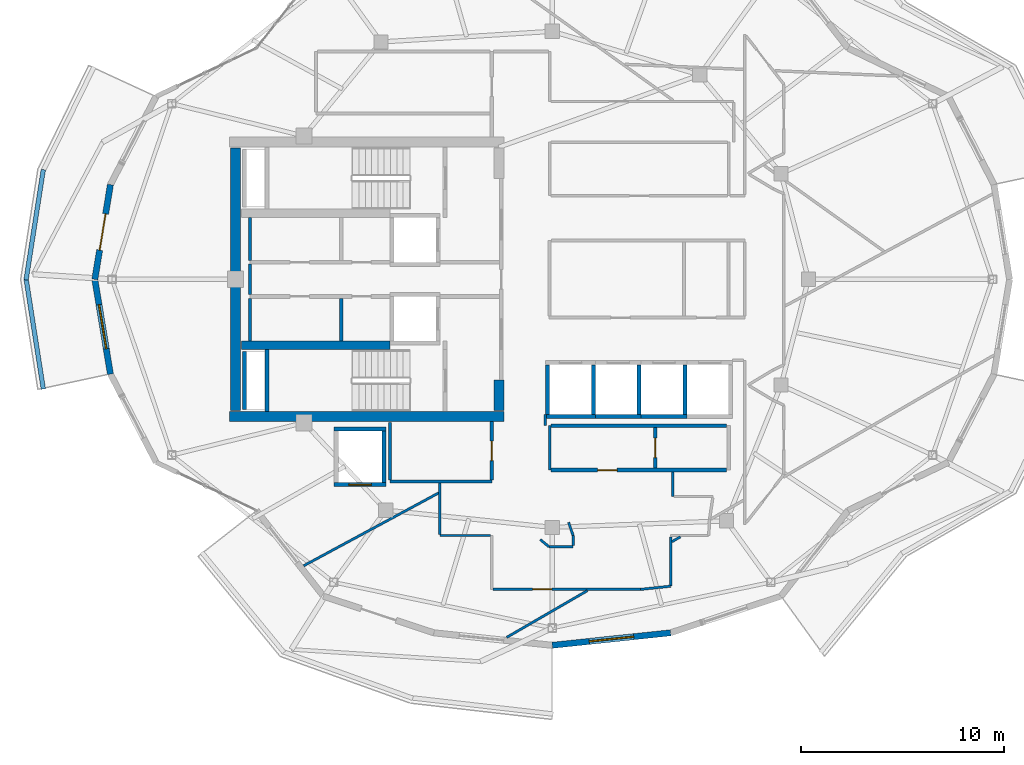
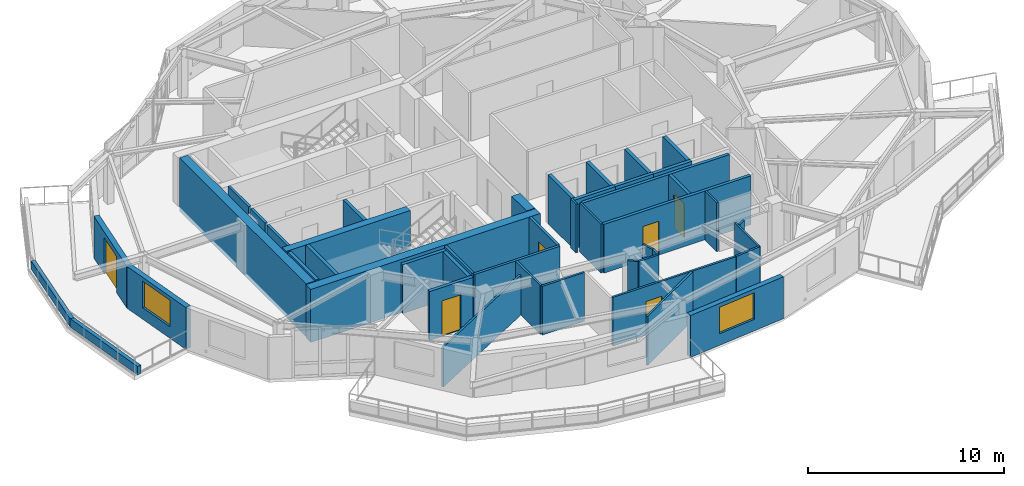
# One storey, part 7 of 14: 46 walls, 6 doors, 2 windows, 8 openings.
"""IFC4 building model written with IfcOpenShell, lengths in metres."""

from ifc_helpers import new_model, si_unit, direction, frame, frame_2d, origin, place, context, subcontext, project, spatial, rectangle, extrude, material, layer, layer_set, type_object, element, fill, save


model = new_model("IFC4")

# Units and contexts
model_context = context("Model", 3, precision=1e-05, world=origin(), true_north=direction((0.0, 1.0)))
body_context = subcontext(model_context, "Body", "Model", "MODEL_VIEW")
ifc_project = project(units=[si_unit("LENGTHUNIT", "METRE"), si_unit("AREAUNIT", "SQUARE_METRE"), si_unit("VOLUMEUNIT", "CUBIC_METRE"), si_unit("PLANEANGLEUNIT", "RADIAN"), si_unit("MASSUNIT", "GRAM", prefix="KILO")], contexts=[model_context])

# Site, building, storey
site_placement = place(None, origin())
site = spatial("IfcSite", under=ifc_project, at=site_placement, CompositionType="ELEMENT")
building_placement = place(site_placement, origin())
building = spatial("IfcBuilding", under=site, at=building_placement, Name="Kolvaren Gate Tower and Convention Centre", CompositionType="ELEMENT")
storey_placement = place(building_placement, frame((0.0, 0.0, 252.5)))
storey = spatial("IfcBuildingStorey", under=building, at=storey_placement, Name="L68", CompositionType="ELEMENT", Elevation=252.5)

# Wall
ifc_material_1 = material(Name="Autoclaved Aerated Masonry Blockwork Class 4 (4.0 MPa)", Category="masonry")
ifc_layer_1 = layer(ifc_material_1, 0.179931640625)
ifc_layer_set_1 = layer_set([ifc_layer_1], Name="Autoclaved Aerated Masonry Blockwork Class 4 (4.0 MPa)")
wall_type_1 = type_object("IfcWallType", Name="ARCH-WL-COMP-180", PredefinedType="SOLIDWALL", material=ifc_layer_set_1)
wall_1_placement = place(storey_placement, frame((19.75, 23.9619140625, 0.0), z_axis=(0.0, 0.0, 1.0), x_axis=(0.0, 1.0, 0.0)))
element("IfcWall", 1, at=wall_1_placement, inside=storey, type_object=wall_type_1, Name="Interior Partition WL-L68-INT-007", PredefinedType="SOLIDWALL", context=body_context, shape_type="SweptSolid", body=[
    extrude(rectangle(XDim=2.106201171875, YDim=0.179931640625, at=frame_2d((1.05322265625, 0.0))), origin(), (0.0, 0.0, 1.0), 3.030029296875),
])

# Wall, opening, door
wall_2_placement = place(storey_placement, frame((30.06201171875, 17.6201171875, 0.0), z_axis=(0.0, 0.0, 1.0), x_axis=(1.0, 0.0, 0.0)))
wall_2 = element("IfcWall", 2, at=wall_2_placement, inside=storey, type_object=wall_type_1, Name="Interior Partition WL-L68-INT-026", PredefinedType="SOLIDWALL", context=body_context, shape_type="SweptSolid", body=[
    extrude(rectangle(XDim=8.64599609375, YDim=0.179931640625, at=frame_2d((4.322998046875, 0.0))), origin(), (0.0, 0.0, 1.0), 3.030029296875),
])
opening_1_placement = place(wall_2_placement, frame((2.299072265625, 0.0, 0.0)))
opening_1 = element("IfcOpeningElement", 3, at=opening_1_placement, cuts=wall_2, Name="Opening DR-01", PredefinedType="OPENING", context=body_context, shape_type="SweptSolid", body=[
    extrude(rectangle(XDim=0.949951171875, YDim=2.10009765625, at=frame_2d((0.47509765625, 1.050048828125))), frame((0.0, 0.099853515625, 0.0), z_axis=(0.0, -1.0, 0.0), x_axis=(1.0, 0.0, 0.0)), (0.0, 0.0, 1.0), 0.199951171875),
])
ifc_material_2 = material(Name="Painted Architectural Steelwork ASTM A500 Grade C 345 MPa", Category="steel")
door_type_1 = type_object("IfcDoorType", Name="ARCH-DR-RISER-950", OperationType="SINGLE_SWING_RIGHT", PredefinedType="DOOR", material=ifc_material_2)
door_1_placement = place(opening_1_placement, origin())
door_1 = element("IfcDoor", 4, at=door_1_placement, inside=storey, type_object=door_type_1, Name="Resident Quiet Library Door", OperationType="SINGLE_SWING_RIGHT", OverallHeight=2.10009765625, OverallWidth=0.949951171875, PredefinedType="DOOR", context=body_context, shape_type="SweptSolid", body=[
    extrude(rectangle(XDim=0.949951171875, YDim=2.10009765625, at=frame_2d((0.47509765625, 1.050048828125))), frame((0.0, 0.02490234375, 0.0), z_axis=(0.0, -1.0, 0.0), x_axis=(1.0, 0.0, 0.0)), (0.0, 0.0, 1.0), 0.050048828125),
])
fill(opening_1, door_1)

# Wall
wall_3_placement = place(storey_placement, frame((30.06201171875, 19.800048828125, 0.0), z_axis=(0.0, 0.0, 1.0), x_axis=(1.0, 0.0, 0.0)))
element("IfcWall", 5, at=wall_3_placement, inside=storey, type_object=wall_type_1, Name="Interior Partition WL-L68-INT-027", PredefinedType="SOLIDWALL", context=body_context, shape_type="SweptSolid", body=[
    extrude(rectangle(XDim=8.64599609375, YDim=0.179931640625, at=frame_2d((4.322998046875, 0.0))), origin(), (0.0, 0.0, 1.0), 3.030029296875),
])

# Wall, opening, door
wall_4_placement = place(storey_placement, frame((35.199951171875, 17.7119140625, 0.0), z_axis=(0.0, 0.0, 1.0), x_axis=(0.0, 1.0, 0.0)))
wall_4 = element("IfcWall", 6, at=wall_4_placement, inside=storey, type_object=wall_type_1, Name="Interior Partition WL-L68-INT-028", PredefinedType="SOLIDWALL", context=body_context, shape_type="SweptSolid", body=[
    extrude(rectangle(XDim=1.99609375, YDim=0.179931640625, at=frame_2d((0.998046875, 0.0))), origin(), (0.0, 0.0, 1.0), 3.030029296875),
])
opening_2_placement = place(wall_4_placement, frame((0.52294921875, 0.0, 0.0)))
opening_2 = element("IfcOpeningElement", 7, at=opening_2_placement, cuts=wall_4, Name="Opening DR-01", PredefinedType="OPENING", context=body_context, shape_type="SweptSolid", body=[
    extrude(rectangle(XDim=0.949951171875, YDim=2.10009765625, at=frame_2d((0.47509765625, 1.050048828125))), frame((0.0, 0.099853515625, 0.0), z_axis=(0.0, -1.0, 0.0), x_axis=(1.0, 0.0, 0.0)), (0.0, 0.0, 1.0), 0.199951171875),
])
door_2_placement = place(opening_2_placement, origin())
door_2 = element("IfcDoor", 8, at=door_2_placement, inside=storey, type_object=door_type_1, Name="Smart-Metering Room Door", OperationType="SINGLE_SWING_RIGHT", OverallHeight=2.10009765625, OverallWidth=0.949951171875, PredefinedType="DOOR", context=body_context, shape_type="SweptSolid", body=[
    extrude(rectangle(XDim=0.949951171875, YDim=2.10009765625, at=frame_2d((0.47509765625, 1.050048828125))), frame((0.0, 0.02490234375, 0.0), z_axis=(0.0, -1.0, 0.0), x_axis=(1.0, 0.0, 0.0)), (0.0, 0.0, 1.0), 0.050048828125),
])
fill(opening_2, door_2)

# Walls
ifc_material_3 = material(Name="Fire-Rated Acoustic Gypsum Stud Partition", Category="gypsum")
ifc_layer_2 = layer(ifc_material_3, 0.1201171875)
ifc_layer_set_2 = layer_set([ifc_layer_2], Name="Fire-Rated Acoustic Gypsum Stud Partition")
wall_type_2 = type_object("IfcWallType", Name="ARCH-WL-PART-120", PredefinedType="PARTITIONING", material=ifc_layer_set_2)
wall_5_placement = place(storey_placement, frame((30.0, 17.6201171875, 0.0), z_axis=(0.0, 0.0, 1.0), x_axis=(0.0, 1.0, 0.0)))
element("IfcWall", 9, at=wall_5_placement, inside=storey, type_object=wall_type_2, Name="Interior Partition WL-L68-INT-015", PredefinedType="PARTITIONING", context=body_context, shape_type="SweptSolid", body=[
    extrude(rectangle(XDim=2.179931640625, YDim=0.1201171875, at=frame_2d((1.08984375, 0.0))), origin(), (0.0, 0.0, 1.0), 3.030029296875),
])
wall_6_placement = place(storey_placement, frame((29.780029296875, 19.800048828125, 0.0), z_axis=(0.0, 0.0, 1.0), x_axis=(0.0, 1.0, 0.0)))
element("IfcWall", 10, at=wall_6_placement, inside=storey, type_object=wall_type_2, Name="Interior Partition WL-L68-INT-051", PredefinedType="PARTITIONING", context=body_context, shape_type="SweptSolid", body=[
    extrude(rectangle(XDim=0.56005859375, YDim=0.1201171875, at=frame_2d((0.280029296875, 0.0))), origin(), (0.0, 0.0, 1.0), 3.030029296875),
])
wall_7_placement = place(storey_placement, frame((36.050048828125, 16.320068359375, 0.0), z_axis=(0.0, 0.0, 1.0), x_axis=(0.0, 1.0, 0.0)))
element("IfcWall", 11, at=wall_7_placement, inside=storey, type_object=wall_type_2, Name="Interior Partition WL-L68-INT-052", PredefinedType="PARTITIONING", context=body_context, shape_type="SweptSolid", body=[
    extrude(rectangle(XDim=1.2080078125, YDim=0.1201171875, at=frame_2d((0.60400390625, 0.0))), origin(), (0.0, 0.0, 1.0), 3.030029296875),
])
wall_8_placement = place(storey_placement, frame((24.60009765625, 14.39990234375, 0.0), z_axis=(0.0, 0.0, 1.0), x_axis=(1.0, 0.0, 0.0)))
element("IfcWall", 12, at=wall_8_placement, inside=storey, type_object=wall_type_2, Name="Interior Partition WL-L68-INT-056", PredefinedType="PARTITIONING", context=body_context, shape_type="SweptSolid", body=[
    extrude(rectangle(XDim=2.48779296875, YDim=0.1201171875, at=frame_2d((1.243896484375, 0.0))), origin(), (0.0, 0.0, 1.0), 3.030029296875),
])
wall_9_placement = place(storey_placement, frame((35.949951171875, 11.906005859375, 0.0), z_axis=(0.0, 0.0, 1.0), x_axis=(0.0, 1.0, 0.0)))
element("IfcWall", 13, at=wall_9_placement, inside=storey, type_object=wall_type_2, Name="Interior Partition WL-L68-INT-058", PredefinedType="PARTITIONING", context=body_context, shape_type="SweptSolid", body=[
    extrude(rectangle(XDim=2.431884765625, YDim=0.1201171875, at=frame_2d((1.2158203125, 0.0))), origin(), (0.0, 0.0, 1.0), 3.030029296875),
])
wall_10_placement = place(storey_placement, frame((34.468017578125, 11.75, 0.0), z_axis=(0.0, 0.0, 1.0), x_axis=(0.994504555135, 0.104693313135, 0.0)))
element("IfcWall", 14, at=wall_10_placement, inside=storey, type_object=wall_type_2, Name="Interior Partition WL-L68-INT-059", PredefinedType="PARTITIONING", context=body_context, shape_type="SweptSolid", body=[
    extrude(rectangle(XDim=1.490234375, YDim=0.1201171875, at=frame_2d((0.7451171875, 0.0))), origin(), (0.0, 0.0, 1.0), 3.030029296875),
])

# Wall, opening, door
wall_11_placement = place(storey_placement, frame((27.2119140625, 11.75, 0.0), z_axis=(0.0, 0.0, 1.0), x_axis=(1.0, 0.0, 0.0)))
wall_11 = element("IfcWall", 15, at=wall_11_placement, inside=storey, type_object=wall_type_2, Name="Interior Partition WL-L68-INT-060", PredefinedType="PARTITIONING", context=body_context, shape_type="SweptSolid", body=[
    extrude(rectangle(XDim=7.256103515625, YDim=0.1201171875, at=frame_2d((3.6279296875, 0.0))), origin(), (0.0, 0.0, 1.0), 3.030029296875),
])
opening_3_placement = place(wall_11_placement, frame((1.94384765625, 0.0, 0.0)))
opening_3 = element("IfcOpeningElement", 16, at=opening_3_placement, cuts=wall_11, Name="Opening DR-01", PredefinedType="OPENING", context=body_context, shape_type="SweptSolid", body=[
    extrude(rectangle(XDim=0.949951171875, YDim=2.10009765625, at=frame_2d((0.47509765625, 1.050048828125))), frame((0.0, 0.070068359375, 0.0), z_axis=(0.0, -1.0, 0.0), x_axis=(1.0, 0.0, 0.0)), (0.0, 0.0, 1.0), 0.14013671875),
])
door_3_placement = place(opening_3_placement, origin())
door_3 = element("IfcDoor", 17, at=door_3_placement, inside=storey, type_object=door_type_1, Name="Penthouse Strategy Boardroom Door", OperationType="SINGLE_SWING_RIGHT", OverallHeight=2.10009765625, OverallWidth=0.949951171875, PredefinedType="DOOR", context=body_context, shape_type="SweptSolid", body=[
    extrude(rectangle(XDim=0.949951171875, YDim=2.10009765625, at=frame_2d((0.47509765625, 1.050048828125))), frame((0.0, 0.02490234375, 0.0), z_axis=(0.0, -1.0, 0.0), x_axis=(1.0, 0.0, 0.0)), (0.0, 0.0, 1.0), 0.050048828125),
])
fill(opening_3, door_3)

# Walls
wall_12_placement = place(storey_placement, frame((24.60009765625, 14.4619140625, 0.0), z_axis=(0.0, 0.0, 1.0), x_axis=(0.0, 1.0, 0.0)))
element("IfcWall", 18, at=wall_12_placement, inside=storey, type_object=wall_type_2, Name="Interior Partition WL-L68-INT-061", PredefinedType="PARTITIONING", context=body_context, shape_type="SweptSolid", body=[
    extrude(rectangle(XDim=2.510986328125, YDim=0.1201171875, at=frame_2d((1.25537109375, 0.0))), origin(), (0.0, 0.0, 1.0), 3.030029296875),
])
wall_13_placement = place(storey_placement, frame((29.9599609375, 13.85009765625, 0.0), z_axis=(0.0, 0.0, 1.0), x_axis=(1.0, 0.0, 0.0)))
element("IfcWall", 19, at=wall_13_placement, inside=storey, type_object=wall_type_2, Name="Interior Partition WL-L68-INT-062", PredefinedType="PARTITIONING", context=body_context, shape_type="SweptSolid", body=[
    extrude(rectangle(XDim=1.18994140625, YDim=0.1201171875, at=frame_2d((0.594970703125, 0.0))), origin(), (0.0, 0.0, 1.0), 3.030029296875),
])
wall_14_placement = place(storey_placement, frame((31.14990234375, 13.912109375, 0.0), z_axis=(0.0, 0.0, 1.0), x_axis=(0.0, 1.0, 0.0)))
element("IfcWall", 20, at=wall_14_placement, inside=storey, type_object=wall_type_2, Name="Interior Partition WL-L68-INT-063", PredefinedType="PARTITIONING", context=body_context, shape_type="SweptSolid", body=[
    extrude(rectangle(XDim=0.48779296875, YDim=0.1201171875, at=frame_2d((0.243896484375, 0.0))), origin(), (0.0, 0.0, 1.0), 3.030029296875),
])
wall_15_placement = place(storey_placement, frame((30.928955078125, 15.0439453125, 0.0), z_axis=(0.0, 0.0, 1.0), x_axis=(0.324498492416, -0.945886213252, 0.0)))
element("IfcWall", 21, at=wall_15_placement, inside=storey, type_object=wall_type_2, Name="Interior Partition WL-L68-INT-064", PredefinedType="PARTITIONING", context=body_context, shape_type="SweptSolid", body=[
    extrude(rectangle(XDim=0.680908203125, YDim=0.1201171875, at=frame_2d((0.34033203125, 0.0))), origin(), (0.0, 0.0, 1.0), 3.030029296875),
])
wall_16_placement = place(storey_placement, frame((29.531005859375, 14.2060546875, 0.0), z_axis=(0.0, 0.0, 1.0), x_axis=(0.7695479554, -0.638589026166, 0.0)))
element("IfcWall", 22, at=wall_16_placement, inside=storey, type_object=wall_type_2, Name="Interior Partition WL-L68-INT-065", PredefinedType="PARTITIONING", context=body_context, shape_type="SweptSolid", body=[
    extrude(rectangle(XDim=0.557373046875, YDim=0.1201171875, at=frame_2d((0.27880859375, 0.0))), origin(), (0.0, 0.0, 1.0), 3.030029296875),
])
wall_17_placement = place(storey_placement, frame((17.895263671875, 12.90966796875, 0.0), z_axis=(0.0, 0.0, 1.0), x_axis=(0.880038694226, 0.474901986377, 0.0)))
element("IfcWall", 23, at=wall_17_placement, inside=storey, type_object=wall_type_2, Name="Interior Partition WL-L68-INT-066", PredefinedType="PARTITIONING", context=body_context, shape_type="SweptSolid", body=[
    extrude(rectangle(XDim=7.54833984375, YDim=0.1201171875, at=frame_2d((3.774169921875, 0.0))), origin(), (0.0, 0.0, 1.0), 2.47802734375),
])
wall_18_placement = place(storey_placement, frame((27.884033203125, 9.388916015625, 0.0), z_axis=(0.0, 0.0, 1.0), x_axis=(0.865363124713, 0.501145350558, 0.0)))
element("IfcWall", 24, at=wall_18_placement, inside=storey, type_object=wall_type_2, Name="Interior Partition WL-L68-INT-068", PredefinedType="PARTITIONING", context=body_context, shape_type="SweptSolid", body=[
    extrude(rectangle(XDim=4.587646484375, YDim=0.1201171875, at=frame_2d((2.2939453125, 0.0))), origin(), (0.0, 0.0, 1.0), 3.030029296875),
])
wall_19_placement = place(storey_placement, frame((36.011962890625, 14.09619140625, 0.0), z_axis=(0.0, 0.0, 1.0), x_axis=(0.865553251364, 0.500816901724, 0.0)))
element("IfcWall", 25, at=wall_19_placement, inside=storey, type_object=wall_type_2, Name="Interior Partition WL-L68-INT-069", PredefinedType="PARTITIONING", context=body_context, shape_type="SweptSolid", body=[
    extrude(rectangle(XDim=0.482666015625, YDim=0.1201171875, at=frame_2d((0.2412109375, 0.0))), origin(), (0.0, 0.0, 1.0), 3.030029296875),
])
ifc_material_4 = material(Name="Piedmont Cream Honed Limestone Cladding", Category="masonry")
ifc_layer_3 = layer(ifc_material_4, 0.219970703125)
ifc_layer_set_3 = layer_set([ifc_layer_3], Name="Piedmont Cream Honed Limestone Cladding")
wall_type_3 = type_object("IfcWallType", Name="ARCH-WL-PLANTER-220", PredefinedType="PARAPET", material=ifc_layer_set_3)
for number, where, z_axis, x_axis, name in (
    (26, (4.243408203125, 26.970703125, 0.0), (0.0, 0.0, 1.0), (0.154441975483, 0.988001860428, 0.0), "Vertical-Forest Balcony Stone Planter Kerb PK-L68-2.2"),
    (27, (4.243408203125, 27.029296875, 0.0), (0.0, 0.0, 1.0), (0.154441975483, -0.988001860428, 0.0), "Vertical-Forest Balcony Stone Planter Kerb PK-L68-2.3"),
):
    element("IfcWall", number, at=place(storey_placement, frame(where, z_axis=z_axis, x_axis=x_axis)), inside=storey, type_object=wall_type_3, Name=name, PredefinedType="PARAPET", context=body_context, shape_type="SweptSolid", body=[
        extrude(rectangle(XDim=5.49169921875, YDim=0.219970703125, at=frame_2d((2.745849609375, 0.0))), origin(), (0.0, 0.0, 1.0), 0.52001953125),
    ])
ifc_layer_4 = layer(ifc_material_1, 0.199951171875)
ifc_layer_set_4 = layer_set([ifc_layer_4], Name="Autoclaved Aerated Masonry Blockwork Class 4 (4.0 MPa)")
wall_type_4 = type_object("IfcWallType", Name="ARCH-WL-SHAFT-200", PredefinedType="SOLIDWALL", material=ifc_layer_set_4)
wall_20_placement = place(storey_placement, frame((19.39990234375, 19.64990234375, 0.0), z_axis=(0.0, 0.0, 1.0), x_axis=(1.0, 0.0, 0.0)))
element("IfcWall", 28, at=wall_20_placement, inside=storey, type_object=wall_type_4, Name="Elevator SV-01 L68 Fire Shaft Wall N", PredefinedType="SOLIDWALL", context=body_context, shape_type="SweptSolid", body=[
    extrude(rectangle(XDim=2.550048828125, YDim=0.199951171875, at=frame_2d((1.27490234375, 0.0))), origin(), (0.0, 0.0, 1.0), 3.030029296875),
])

# Wall, opening, door
wall_21_placement = place(storey_placement, frame((19.39990234375, 16.89990234375, 0.0), z_axis=(0.0, 0.0, 1.0), x_axis=(1.0, 0.0, 0.0)))
wall_21 = element("IfcWall", 29, at=wall_21_placement, inside=storey, type_object=wall_type_4, Name="Elevator SV-01 L68 Fire Shaft Wall S", PredefinedType="SOLIDWALL", context=body_context, shape_type="SweptSolid", body=[
    extrude(rectangle(XDim=2.550048828125, YDim=0.199951171875, at=frame_2d((1.27490234375, 0.0))), origin(), (0.0, 0.0, 1.0), 3.030029296875),
])
opening_4_placement = place(wall_21_placement, frame((0.72509765625, 0.0, 0.0)))
opening_4 = element("IfcOpeningElement", 30, at=opening_4_placement, cuts=wall_21, Name="Opening LD", PredefinedType="OPENING", context=body_context, shape_type="SweptSolid", body=[
    extrude(rectangle(XDim=1.10009765625, YDim=2.199951171875, at=frame_2d((0.550048828125, 1.10009765625))), frame((0.0, 0.10986328125, 0.0), z_axis=(0.0, -1.0, 0.0), x_axis=(1.0, 0.0, 0.0)), (0.0, 0.0, 1.0), 0.219970703125),
])
ifc_material_5 = material(Name="Brushed Stainless Steel Grade 316L", Category="steel")
door_type_2 = type_object("IfcDoorType", Name="ARCH-DR-LIFT-1100", OperationType="SLIDING_TO_LEFT", PredefinedType="DOOR", material=ifc_material_5)
door_4_placement = place(opening_4_placement, origin())
door_4 = element("IfcDoor", 31, at=door_4_placement, inside=storey, type_object=door_type_2, Name="Elevator SV-01 L68 Sliding Landing Door", OperationType="SLIDING_TO_LEFT", OverallHeight=2.199951171875, OverallWidth=1.10009765625, PredefinedType="DOOR", context=body_context, shape_type="SweptSolid", body=[
    extrude(rectangle(XDim=1.10009765625, YDim=2.199951171875, at=frame_2d((0.550048828125, 1.10009765625))), frame((0.0, 0.02490234375, 0.0), z_axis=(0.0, -1.0, 0.0), x_axis=(1.0, 0.0, 0.0)), (0.0, 0.0, 1.0), 0.050048828125),
])
fill(opening_4, door_4)

# Walls
wall_22_placement = place(storey_placement, frame((21.85009765625, 17.010009765625, 0.0), z_axis=(0.0, 0.0, 1.0), x_axis=(0.0, 1.0, 0.0)))
element("IfcWall", 32, at=wall_22_placement, inside=storey, type_object=wall_type_4, Name="Elevator SV-01 L68 Fire Shaft Wall E", PredefinedType="SOLIDWALL", context=body_context, shape_type="SweptSolid", body=[
    extrude(rectangle(XDim=2.530029296875, YDim=0.199951171875, at=frame_2d((1.26513671875, 0.0))), origin(), (0.0, 0.0, 1.0), 3.030029296875),
])
wall_23_placement = place(storey_placement, frame((29.800048828125, 20.25, 0.0), z_axis=(0.0, 0.0, 1.0), x_axis=(1.0, 0.0, 0.0)))
element("IfcWall", 33, at=wall_23_placement, inside=storey, type_object=wall_type_4, Name="Elevator PL-09 L68 Fire Shaft Wall S", PredefinedType="SOLIDWALL", context=body_context, shape_type="SweptSolid", body=[
    extrude(rectangle(XDim=2.449951171875, YDim=0.199951171875, at=frame_2d((1.22509765625, 0.0))), origin(), (0.0, 0.0, 1.0), 3.030029296875),
])
for number, where, z_axis, x_axis, name in (
    (34, (29.89990234375, 20.360107421875, 0.0), (0.0, 0.0, 1.0), (0.0, 1.0, 0.0), "Elevator PL-09 L68 Fire Shaft Wall W"),
    (35, (32.14990234375, 20.360107421875, 0.0), (0.0, 0.0, 1.0), (0.0, 1.0, 0.0), "Elevator PL-09 L68 Fire Shaft Wall E"),
):
    element("IfcWall", number, at=place(storey_placement, frame(where, z_axis=z_axis, x_axis=x_axis)), inside=storey, type_object=wall_type_4, Name=name, PredefinedType="SOLIDWALL", context=body_context, shape_type="SweptSolid", body=[
        extrude(rectangle(XDim=2.429931640625, YDim=0.199951171875, at=frame_2d((1.21484375, 0.0))), origin(), (0.0, 0.0, 1.0), 3.030029296875),
    ])
wall_24_placement = place(storey_placement, frame((32.25, 20.25, 0.0), z_axis=(0.0, 0.0, 1.0), x_axis=(1.0, 0.0, 0.0)))
element("IfcWall", 36, at=wall_24_placement, inside=storey, type_object=wall_type_4, Name="Elevator PL-10 L68 Fire Shaft Wall S", PredefinedType="SOLIDWALL", context=body_context, shape_type="SweptSolid", body=[
    extrude(rectangle(XDim=2.25, YDim=0.199951171875, at=frame_2d((1.125, 0.0))), origin(), (0.0, 0.0, 1.0), 3.030029296875),
])
wall_25_placement = place(storey_placement, frame((34.39990234375, 20.360107421875, 0.0), z_axis=(0.0, 0.0, 1.0), x_axis=(0.0, 1.0, 0.0)))
element("IfcWall", 37, at=wall_25_placement, inside=storey, type_object=wall_type_4, Name="Elevator PL-10 L68 Fire Shaft Wall E", PredefinedType="SOLIDWALL", context=body_context, shape_type="SweptSolid", body=[
    extrude(rectangle(XDim=2.429931640625, YDim=0.199951171875, at=frame_2d((1.21484375, 0.0))), origin(), (0.0, 0.0, 1.0), 3.030029296875),
])
wall_26_placement = place(storey_placement, frame((34.5, 20.25, 0.0), z_axis=(0.0, 0.0, 1.0), x_axis=(1.0, 0.0, 0.0)))
element("IfcWall", 38, at=wall_26_placement, inside=storey, type_object=wall_type_4, Name="Elevator PL-11 L68 Fire Shaft Wall S", PredefinedType="SOLIDWALL", context=body_context, shape_type="SweptSolid", body=[
    extrude(rectangle(XDim=2.25, YDim=0.199951171875, at=frame_2d((1.125, 0.0))), origin(), (0.0, 0.0, 1.0), 3.030029296875),
])
wall_27_placement = place(storey_placement, frame((36.64990234375, 20.360107421875, 0.0), z_axis=(0.0, 0.0, 1.0), x_axis=(0.0, 1.0, 0.0)))
element("IfcWall", 39, at=wall_27_placement, inside=storey, type_object=wall_type_4, Name="Elevator PL-11 L68 Fire Shaft Wall E", PredefinedType="SOLIDWALL", context=body_context, shape_type="SweptSolid", body=[
    extrude(rectangle(XDim=2.429931640625, YDim=0.199951171875, at=frame_2d((1.21484375, 0.0))), origin(), (0.0, 0.0, 1.0), 3.030029296875),
])
wall_28_placement = place(storey_placement, frame((14.989990234375, 20.60009765625, 0.0), z_axis=(0.0, 0.0, 1.0), x_axis=(0.0, 1.0, 0.0)))
element("IfcWall", 40, at=wall_28_placement, inside=storey, type_object=wall_type_4, Name="Vertical Shaft MPR L68 EI-120 Enclosure Wall W", PredefinedType="SOLIDWALL", context=body_context, shape_type="SweptSolid", body=[
    extrude(rectangle(XDim=2.849853515625, YDim=0.199951171875, at=frame_2d((1.4248046875, 0.0))), origin(), (0.0, 0.0, 1.0), 3.030029296875),
])

# Wall, opening, door
ifc_layer_5 = layer(ifc_material_4, 0.300048828125)
ifc_layer_set_5 = layer_set([ifc_layer_5], Name="Piedmont Cream Honed Limestone Cladding")
wall_type_5 = type_object("IfcWallType", Name="ARCH-WL-STONE-300", PredefinedType="SOLIDWALL", material=ifc_layer_set_5)
wall_29_placement = place(storey_placement, frame((7.625, 27.0, 0.0), z_axis=(0.0, 0.0, 1.0), x_axis=(0.162369371657, 0.986730047758, 0.0)))
wall_29 = element("IfcWall", 41, at=wall_29_placement, inside=storey, type_object=wall_type_5, Name="Tower L68 Honed Stone Spandrel Wall EW-11", PredefinedType="SOLIDWALL", context=body_context, shape_type="SweptSolid", body=[
    extrude(rectangle(XDim=4.721435546875, YDim=0.300048828125, at=frame_2d((2.36083984375, 0.0))), origin(), (0.0, 0.0, 1.0), 2.60498046875),
])
opening_5_placement = place(wall_29_placement, frame((1.4609375, 0.0, 0.0)))
opening_5 = element("IfcOpeningElement", 42, at=opening_5_placement, cuts=wall_29, Name="Opening DB-01", PredefinedType="OPENING", context=body_context, shape_type="SweptSolid", body=[
    extrude(rectangle(XDim=1.800048828125, YDim=2.25, at=frame_2d((0.89990234375, 1.125))), frame((0.0, 0.159912109375, 0.0), z_axis=(0.0, -1.0, 0.0), x_axis=(1.0, 0.0, 0.0)), (0.0, 0.0, 1.0), 0.320068359375),
])
ifc_material_6 = material(Name="Anodized Architectural Aluminium Alloy 6063-T6", Category="aluminium")
door_type_3 = type_object("IfcDoorType", Name="ARCH-DR-BALC-1800", OperationType="SLIDING_TO_LEFT", PredefinedType="DOOR", material=ifc_material_6)
door_5_placement = place(opening_5_placement, origin())
door_5 = element("IfcDoor", 43, at=door_5_placement, inside=storey, type_object=door_type_3, Name="Planted Sky Terrace Access Door DB-L68-11", OperationType="SLIDING_TO_LEFT", OverallHeight=2.25, OverallWidth=1.800048828125, PredefinedType="DOOR", context=body_context, shape_type="SweptSolid", body=[
    extrude(rectangle(XDim=1.800048828125, YDim=2.25, at=frame_2d((0.89990234375, 1.125))), frame((0.0, 0.02490234375, 0.0), z_axis=(0.0, -1.0, 0.0), x_axis=(1.0, 0.0, 0.0)), (0.0, 0.0, 1.0), 0.050048828125),
])
fill(opening_5, door_5)

# Wall, opening, window
wall_30_placement = place(storey_placement, frame((7.625, 27.0, 0.0), z_axis=(0.0, 0.0, 1.0), x_axis=(0.162369371657, -0.986730047758, 0.0)))
wall_30 = element("IfcWall", 44, at=wall_30_placement, inside=storey, type_object=wall_type_5, Name="Tower L68 Honed Stone Spandrel Wall EW-12", PredefinedType="SOLIDWALL", context=body_context, shape_type="SweptSolid", body=[
    extrude(rectangle(XDim=4.721435546875, YDim=0.300048828125, at=frame_2d((2.36083984375, 0.0))), origin(), (0.0, 0.0, 1.0), 2.60498046875),
])
opening_6_placement = place(wall_30_placement, frame((1.260986328125, 0.0, 0.719970703125)))
opening_6 = element("IfcOpeningElement", 45, at=opening_6_placement, cuts=wall_30, Name="Opening W-03", PredefinedType="OPENING", context=body_context, shape_type="SweptSolid", body=[
    extrude(rectangle(XDim=2.199951171875, YDim=1.64990234375, at=frame_2d((1.10009765625, 0.824951171875))), frame((0.0, 0.159912109375, 0.0), z_axis=(0.0, -1.0, 0.0), x_axis=(1.0, 0.0, 0.0)), (0.0, 0.0, 1.0), 0.320068359375),
])
ifc_material_7 = material(Name="Low-E Triple Insulated Glazing Unit 44 mm", Category="glass")
window_type = type_object("IfcWindowType", Name="ARCH-WN-RES-2200", PartitioningType="SINGLE_PANEL", PredefinedType="WINDOW", material=ifc_material_7)
window_1_placement = place(opening_6_placement, origin())
window_1 = element("IfcWindow", 46, at=window_1_placement, inside=storey, type_object=window_type, Name="Tower L68 Punched Stone Facade Window W-12", OverallHeight=1.64990234375, OverallWidth=2.199951171875, PartitioningType="SINGLE_PANEL", PredefinedType="WINDOW", context=body_context, shape_type="SweptSolid", body=[
    extrude(rectangle(XDim=2.199951171875, YDim=1.64990234375, at=frame_2d((1.10009765625, 0.824951171875))), frame((0.0, 0.030029296875, 0.0), z_axis=(0.0, -1.0, 0.0), x_axis=(1.0, 0.0, 0.0)), (0.0, 0.0, 1.0), 0.06005859375),
])
fill(opening_6, window_1)

wall_31_placement = place(storey_placement, frame((30.125, 9.0, 0.0), z_axis=(0.0, 0.0, 1.0), x_axis=(0.994500425783, 0.10473253132, 0.0)))
wall_31 = element("IfcWall", 47, at=wall_31_placement, inside=storey, type_object=wall_type_5, Name="Tower L68 Honed Stone Spandrel Wall EW-18", PredefinedType="SOLIDWALL", context=body_context, shape_type="SweptSolid", body=[
    extrude(rectangle(XDim=5.855712890625, YDim=0.300048828125, at=frame_2d((2.927734375, 0.0))), origin(), (0.0, 0.0, 1.0), 2.60498046875),
])
opening_7_placement = place(wall_31_placement, frame((1.827880859375, 0.0, 0.719970703125)))
opening_7 = element("IfcOpeningElement", 48, at=opening_7_placement, cuts=wall_31, Name="Opening W-03", PredefinedType="OPENING", context=body_context, shape_type="SweptSolid", body=[
    extrude(rectangle(XDim=2.199951171875, YDim=1.64990234375, at=frame_2d((1.10009765625, 0.824951171875))), frame((0.0, 0.159912109375, 0.0), z_axis=(0.0, -1.0, 0.0), x_axis=(1.0, 0.0, 0.0)), (0.0, 0.0, 1.0), 0.320068359375),
])
window_2_placement = place(opening_7_placement, origin())
window_2 = element("IfcWindow", 49, at=window_2_placement, inside=storey, type_object=window_type, Name="Tower L68 Punched Stone Facade Window W-18", OverallHeight=1.64990234375, OverallWidth=2.199951171875, PartitioningType="SINGLE_PANEL", PredefinedType="WINDOW", context=body_context, shape_type="SweptSolid", body=[
    extrude(rectangle(XDim=2.199951171875, YDim=1.64990234375, at=frame_2d((1.10009765625, 0.824951171875))), frame((0.0, 0.030029296875, 0.0), z_axis=(0.0, -1.0, 0.0), x_axis=(1.0, 0.0, 0.0)), (0.0, 0.0, 1.0), 0.06005859375),
])
fill(opening_7, window_2)

# Walls
ifc_material_8 = material(Name="Moisture-Resistant Cement-Board Acoustic Partition", Category="gypsum")
ifc_layer_6 = layer(ifc_material_8, 0.14990234375)
ifc_layer_set_6 = layer_set([ifc_layer_6], Name="Moisture-Resistant Cement-Board Acoustic Partition")
wall_type_6 = type_object("IfcWallType", Name="ARCH-WL-WET-150", PredefinedType="PARTITIONING", material=ifc_layer_set_6)
wall_32_placement = place(storey_placement, frame((15.25, 23.9619140625, 0.0), z_axis=(0.0, 0.0, 1.0), x_axis=(0.0, 1.0, 0.0)))
element("IfcWall", 50, at=wall_32_placement, inside=storey, type_object=wall_type_6, Name="Interior Partition WL-L68-INT-006", PredefinedType="PARTITIONING", context=body_context, shape_type="SweptSolid", body=[
    extrude(rectangle(XDim=2.106201171875, YDim=0.14990234375, at=frame_2d((1.05322265625, 0.0))), origin(), (0.0, 0.0, 1.0), 3.030029296875),
])
wall_33_placement = place(storey_placement, frame((15.25, 26.251953125, 0.0), z_axis=(0.0, 0.0, 1.0), x_axis=(0.0, 1.0, 0.0)))
element("IfcWall", 51, at=wall_33_placement, inside=storey, type_object=wall_type_6, Name="Interior Partition WL-L68-INT-006 (2)", PredefinedType="PARTITIONING", context=body_context, shape_type="SweptSolid", body=[
    extrude(rectangle(XDim=1.49609375, YDim=0.14990234375, at=frame_2d((0.748046875, 0.0))), origin(), (0.0, 0.0, 1.0), 3.030029296875),
])
wall_34_placement = place(storey_placement, frame((15.25, 27.931884765625, 0.0), z_axis=(0.0, 0.0, 1.0), x_axis=(0.0, 1.0, 0.0)))
element("IfcWall", 52, at=wall_34_placement, inside=storey, type_object=wall_type_6, Name="Interior Partition WL-L68-INT-006 (3)", PredefinedType="PARTITIONING", context=body_context, shape_type="SweptSolid", body=[
    extrude(rectangle(XDim=2.106201171875, YDim=0.14990234375, at=frame_2d((1.05322265625, 0.0))), origin(), (0.0, 0.0, 1.0), 3.030029296875),
])
wall_35_placement = place(storey_placement, frame((22.14990234375, 17.050048828125, 0.0), z_axis=(0.0, 0.0, 1.0), x_axis=(1.0, 0.0, 0.0)))
element("IfcWall", 53, at=wall_35_placement, inside=storey, type_object=wall_type_6, Name="Interior Partition WL-L68-INT-009", PredefinedType="PARTITIONING", context=body_context, shape_type="SweptSolid", body=[
    extrude(rectangle(XDim=5.0, YDim=0.14990234375, at=frame_2d((2.5, 0.0))), origin(), (0.0, 0.0, 1.0), 3.030029296875),
])
wall_36_placement = place(storey_placement, frame((22.14990234375, 17.126953125, 0.0), z_axis=(0.0, 0.0, 1.0), x_axis=(0.0, 1.0, 0.0)))
element("IfcWall", 54, at=wall_36_placement, inside=storey, type_object=wall_type_6, Name="Interior Partition WL-L68-INT-010", PredefinedType="PARTITIONING", context=body_context, shape_type="SweptSolid", body=[
    extrude(rectangle(XDim=2.822998046875, YDim=0.14990234375, at=frame_2d((1.41162109375, 0.0))), origin(), (0.0, 0.0, 1.0), 3.030029296875),
])

# Wall, opening, door
wall_37_placement = place(storey_placement, frame((27.14990234375, 17.126953125, 0.0), z_axis=(0.0, 0.0, 1.0), x_axis=(0.0, 1.0, 0.0)))
wall_37 = element("IfcWall", 55, at=wall_37_placement, inside=storey, type_object=wall_type_6, Name="Interior Partition WL-L68-INT-012", PredefinedType="PARTITIONING", context=body_context, shape_type="SweptSolid", body=[
    extrude(rectangle(XDim=2.87109375, YDim=0.14990234375, at=frame_2d((1.435546875, 0.0))), origin(), (0.0, 0.0, 1.0), 3.030029296875),
])
opening_8_placement = place(wall_37_placement, frame((0.96044921875, 0.0, 0.0)))
opening_8 = element("IfcOpeningElement", 56, at=opening_8_placement, cuts=wall_37, Name="Opening DR-01", PredefinedType="OPENING", context=body_context, shape_type="SweptSolid", body=[
    extrude(rectangle(XDim=0.949951171875, YDim=2.10009765625, at=frame_2d((0.47509765625, 1.050048828125))), frame((0.0, 0.0849609375, 0.0), z_axis=(0.0, -1.0, 0.0), x_axis=(1.0, 0.0, 0.0)), (0.0, 0.0, 1.0), 0.169921875),
])
door_6_placement = place(opening_8_placement, origin())
door_6 = element("IfcDoor", 57, at=door_6_placement, inside=storey, type_object=door_type_1, Name="West Linen and Supply Store Door", OperationType="SINGLE_SWING_RIGHT", OverallHeight=2.10009765625, OverallWidth=0.949951171875, PredefinedType="DOOR", context=body_context, shape_type="SweptSolid", body=[
    extrude(rectangle(XDim=0.949951171875, YDim=2.10009765625, at=frame_2d((0.47509765625, 1.050048828125))), frame((0.0, 0.02490234375, 0.0), z_axis=(0.0, -1.0, 0.0), x_axis=(1.0, 0.0, 0.0)), (0.0, 0.0, 1.0), 0.050048828125),
])
fill(opening_8, door_6)

# Walls
ifc_material_9 = material(Name="Concrete C50/60", Category="concrete")
ifc_layer_7 = layer(ifc_material_9, 0.419921875)
ifc_layer_set_7 = layer_set([ifc_layer_7], Name="Concrete C50/60")
wall_type_7 = type_object("IfcWallType", Name="STR-WL-CONV-420", PredefinedType="SHEAR", material=ifc_layer_set_7)
wall_38_placement = place(storey_placement, frame((14.85009765625, 23.75, -0.27001953125), z_axis=(0.0, 0.0, 1.0), x_axis=(1.0, 0.0, 0.0)))
element("IfcWall", 58, at=wall_38_placement, inside=storey, type_object=wall_type_7, Name="Tower L68 Offset Core Shear Wall WS", PredefinedType="SHEAR", context=body_context, shape_type="SweptSolid", body=[
    extrude(rectangle(XDim=7.2998046875, YDim=0.419921875, at=frame_2d((3.64990234375, 0.0))), origin(), (0.0, 0.0, 1.0), 3.300048828125),
])
ifc_layer_8 = layer(ifc_material_9, 0.5)
ifc_layer_set_8 = layer_set([ifc_layer_8], Name="Concrete C50/60")
wall_type_8 = type_object("IfcWallType", Name="STR-WL-CORE-500", PredefinedType="SHEAR", material=ifc_layer_set_8)
wall_39_placement = place(storey_placement, frame((14.25, 20.25, -0.27001953125), z_axis=(0.0, 0.0, 1.0), x_axis=(1.0, 0.0, 0.0)))
element("IfcWall", 59, at=wall_39_placement, inside=storey, type_object=wall_type_8, Name="Tower L68 Offset Core Shear Wall S", PredefinedType="SHEAR", context=body_context, shape_type="SweptSolid", body=[
    extrude(rectangle(XDim=13.5, YDim=0.5, at=frame_2d((6.75, 0.0))), origin(), (0.0, 0.0, 1.0), 3.300048828125),
])
wall_40_placement = place(storey_placement, frame((14.550048828125, 20.550048828125, -0.27001953125), z_axis=(0.0, 0.0, 1.0), x_axis=(0.0, 1.0, 0.0)))
element("IfcWall", 60, at=wall_40_placement, inside=storey, type_object=wall_type_8, Name="Tower L68 Offset Core Shear Wall W", PredefinedType="SHEAR", context=body_context, shape_type="SweptSolid", body=[
    extrude(rectangle(XDim=12.89990234375, YDim=0.5, at=frame_2d((6.449951171875, 0.0))), origin(), (0.0, 0.0, 1.0), 3.300048828125),
])
wall_41_placement = place(storey_placement, frame((27.5, 20.550048828125, -0.27001953125), z_axis=(0.0, 0.0, 1.0), x_axis=(0.0, 1.0, 0.0)))
element("IfcWall", 61, at=wall_41_placement, inside=storey, type_object=wall_type_8, Name="Tower L68 Offset Core Shear Wall ES", PredefinedType="SHEAR", context=body_context, shape_type="SweptSolid", body=[
    extrude(rectangle(XDim=1.5, YDim=0.5, at=frame_2d((0.75, 0.0))), origin(), (0.0, 0.0, 1.0), 3.300048828125),
])
ifc_layer_9 = layer(ifc_material_9, 0.199951171875)
ifc_layer_set_9 = layer_set([ifc_layer_9], Name="Concrete C50/60")
wall_type_9 = type_object("IfcWallType", Name="STR-WL-SHAFT-200", PredefinedType="SHEAR", material=ifc_layer_set_9)
wall_42_placement = place(storey_placement, frame((16.10009765625, 20.501953125, -0.27001953125), z_axis=(0.0, 0.0, 1.0), x_axis=(0.0, 1.0, 0.0)))
element("IfcWall", 62, at=wall_42_placement, inside=storey, type_object=wall_type_9, Name="Tower South Exit Stair ST-T2 L68 Structural Shear Enclosure Wall FAR", PredefinedType="SHEAR", context=body_context, shape_type="SweptSolid", body=[
    extrude(rectangle(XDim=3.0361328125, YDim=0.199951171875, at=frame_2d((1.51806640625, 0.0))), origin(), (0.0, 0.0, 1.0), 3.300048828125),
])

save(model, "model.ifc")
